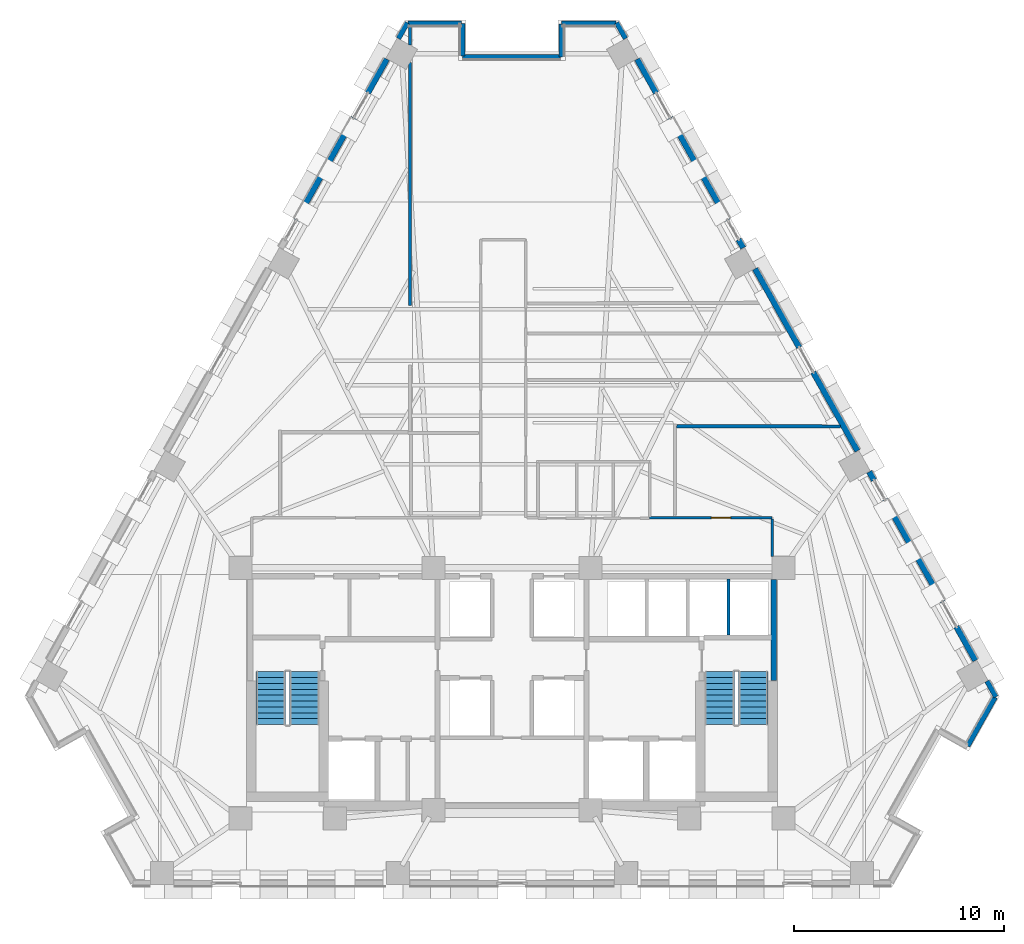
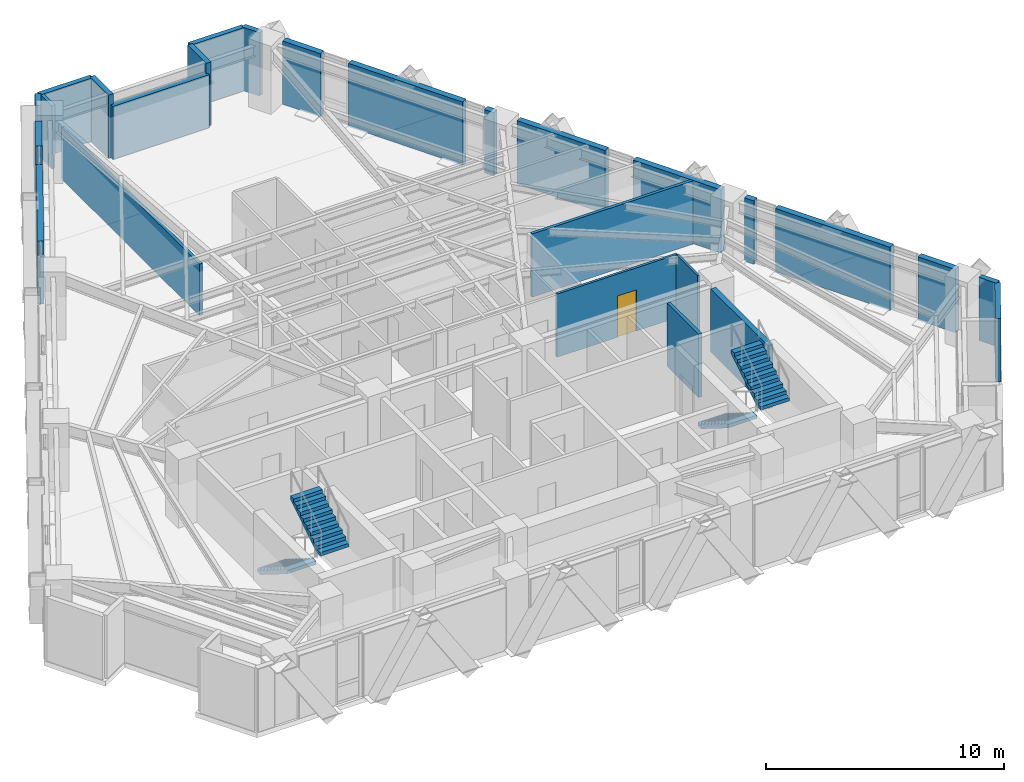
# One storey, part 9 of 13: 26 walls, 4 stair flights, 1 door, 1 opening, 2 elements without a shape of their own.
"""IFC4 building model written with IfcOpenShell, lengths in metres."""

from ifc_helpers import new_model, si_unit, direction, frame, frame_2d, origin, place, context, subcontext, project, spatial, polyline, rectangle, outline, extrude, material, layer, layer_set, type_object, element, fill, aggregate, save


model = new_model("IFC4")

# Units and contexts
model_context = context("Model", 3, precision=1e-05, world=origin(), true_north=direction((0.0, 1.0)))
body_context = subcontext(model_context, "Body", "Model", "MODEL_VIEW")
ifc_project = project(units=[si_unit("LENGTHUNIT", "METRE"), si_unit("AREAUNIT", "SQUARE_METRE"), si_unit("VOLUMEUNIT", "CUBIC_METRE"), si_unit("PLANEANGLEUNIT", "RADIAN"), si_unit("MASSUNIT", "GRAM", prefix="KILO")], contexts=[model_context])

# Site, building, storey
site_placement = place(None, origin())
site = spatial("IfcSite", under=ifc_project, at=site_placement, CompositionType="ELEMENT")
building_placement = place(site_placement, origin())
building = spatial("IfcBuilding", under=site, at=building_placement, Name="Quenlor Broadcast Tower", CompositionType="ELEMENT")
storey_placement = place(building_placement, frame((0.0, 0.0, 116.0)))
storey = spatial("IfcBuildingStorey", under=building, at=storey_placement, Name="L31", CompositionType="ELEMENT", Elevation=116.0)

# Walls
ifc_material_1 = material(Name="Acoustic Double Stud Gypsum Partition", Category="other")
ifc_layer_1 = layer(ifc_material_1, 0.14990234375)
ifc_layer_set_1 = layer_set([ifc_layer_1], Name="Broadcast Studio Acoustic Partition 150")
wall_type_1 = type_object("IfcWallType", Name="Broadcast Studio Acoustic Partition 150", PredefinedType="PARTITIONING", material=ifc_layer_set_1)
wall_1_placement = place(storey_placement, frame((-4.860107421875, 7.70458984375, 0.0), z_axis=(0.0, 0.0, 1.0), x_axis=(0.0, 1.0, 0.0)))
element("IfcWall", 1, at=wall_1_placement, inside=storey, type_object=wall_type_1, Name="L31 Interior Wall PW-DV-02", PredefinedType="PARTITIONING", context=body_context, shape_type="SweptSolid", body=[
    extrude(rectangle(XDim=11.603759765625, YDim=0.14990234375, at=frame_2d((5.8017578125, 0.0))), origin(), (0.0, 0.0, 1.0), 2.64794921875),
])
wall_2_placement = place(storey_placement, frame((-4.860107421875, 20.126220703125, 0.0), z_axis=(0.0, 0.0, 1.0), x_axis=(0.0, 1.0, 0.0)))
element("IfcWall", 2, at=wall_2_placement, inside=storey, type_object=wall_type_1, Name="L31 Interior Wall PW-DV-02S2", PredefinedType="PARTITIONING", context=body_context, shape_type="SweptSolid", body=[
    extrude(rectangle(XDim=0.919677734375, YDim=0.14990234375, at=frame_2d((0.4599609375, 0.0))), origin(), (0.0, 0.0, 1.0), 3.25),
])
wall_3_placement = place(storey_placement, frame((15.65673828125, 1.949951171875, 0.0), z_axis=(0.0, 0.0, 1.0), x_axis=(-0.999999889779, 0.000469512907, 0.0)))
element("IfcWall", 3, at=wall_3_placement, inside=storey, type_object=wall_type_1, Name="L31 Interior Wall PW-DV-08", PredefinedType="PARTITIONING", context=body_context, shape_type="SweptSolid", body=[
    extrude(rectangle(XDim=7.7998046875, YDim=0.14990234375, at=frame_2d((3.89990234375, 0.0))), origin(), (0.0, 0.0, 1.0), 3.25),
])
ifc_material_2 = material(Name="Concrete C40/50", Category="concrete")
ifc_layer_2 = layer(ifc_material_2, 0.25)
ifc_layer_set_2 = layer_set([ifc_layer_2], Name="Fire Rated Concrete C40/50 Core Wall 250")
wall_type_2 = type_object("IfcWallType", Name="Fire Rated Concrete C40/50 Core Wall 250", PredefinedType="PARTITIONING", material=ifc_layer_set_2)
wall_4_placement = place(storey_placement, frame((12.47998046875, -10.179931640625, 0.0), z_axis=(0.0, 0.0, 1.0), x_axis=(0.0, 1.0, 0.0)))
element("IfcWall", 4, at=wall_4_placement, inside=storey, type_object=wall_type_2, Name="L31 Interior Wall CW-ST2-E2", PredefinedType="PARTITIONING", context=body_context, shape_type="SweptSolid", body=[
    extrude(rectangle(XDim=4.827880859375, YDim=0.25, at=frame_2d((2.4140625, 0.0))), origin(), (0.0, 0.0, 1.0), 3.25),
])
ifc_material_3 = material(Name="Gypsum Fireboard Partition", Category="other")
ifc_layer_3 = layer(ifc_material_3, 0.159912109375)
ifc_layer_set_3 = layer_set([ifc_layer_3], Name="Fire Rated Shaft and Corridor Partition 160")
wall_type_3 = type_object("IfcWallType", Name="Fire Rated Shaft and Corridor Partition 160", PredefinedType="PARTITIONING", material=ifc_layer_set_3)
wall_5_placement = place(storey_placement, frame((10.324951171875, -7.992919921875, 0.0), z_axis=(0.0, 0.0, 1.0), x_axis=(0.0, 1.0, 0.0)))
element("IfcWall", 5, at=wall_5_placement, inside=storey, type_object=wall_type_3, Name="L31 Interior Wall CW-PLH-D3", PredefinedType="PARTITIONING", context=body_context, shape_type="SweptSolid", body=[
    extrude(rectangle(XDim=2.65283203125, YDim=0.159912109375, at=frame_2d((1.326416015625, 0.0))), origin(), (0.0, 0.0, 1.0), 3.25),
])

# Wall, opening, door
ifc_material_4 = material(Name="Gypsum Plasterboard Partition", Category="other")
ifc_layer_4 = layer(ifc_material_4, 0.1201171875)
ifc_layer_set_4 = layer_set([ifc_layer_4], Name="Standard Office Partition 120")
wall_type_4 = type_object("IfcWallType", Name="Standard Office Partition 120", PredefinedType="PARTITIONING", material=ifc_layer_set_4)
wall_6_placement = place(storey_placement, frame((6.56201171875, -2.39990234375, 0.0), z_axis=(0.0, 0.0, 1.0), x_axis=(1.0, 0.0, 0.0)))
wall_6 = element("IfcWall", 6, at=wall_6_placement, inside=storey, type_object=wall_type_4, Name="L31 Interior Wall PW-CR-06S2", PredefinedType="PARTITIONING", context=body_context, shape_type="SweptSolid", body=[
    extrude(rectangle(XDim=5.847900390625, YDim=0.1201171875, at=frame_2d((2.923828125, 0.0))), origin(), (0.0, 0.0, 1.0), 3.25),
])
opening_placement = place(wall_6_placement, frame((2.944091796875, 0.0, 0.0)))
opening = element("IfcOpeningElement", 7, at=opening_placement, cuts=wall_6, Name="Opening ID-1", PredefinedType="OPENING", context=body_context, shape_type="SweptSolid", body=[
    extrude(rectangle(XDim=0.919921875, YDim=2.1201171875, at=frame_2d((0.4599609375, 1.06005859375))), frame((0.0, 0.070068359375, 0.0), z_axis=(0.0, -1.0, 0.0), x_axis=(1.0, 0.0, 0.0)), (0.0, 0.0, 1.0), 0.14013671875),
])
ifc_material_5 = material(Name="Solid Core Timber Oak", Category="wood")
door_type = type_object("IfcDoorType", Name="Single Leaf Timber Office Door 920x2120", OperationType="NOTDEFINED", PredefinedType="DOOR", material=ifc_material_5)
door_placement = place(opening_placement, origin())
door = element("IfcDoor", 8, at=door_placement, inside=storey, type_object=door_type, Name="L31 Door DR-RM08", OperationType="SINGLE_SWING_LEFT", OverallHeight=2.1201171875, OverallWidth=0.919921875, PredefinedType="DOOR", context=body_context, shape_type="SweptSolid", body=[
    extrude(rectangle(XDim=0.919921875, YDim=2.1201171875, at=frame_2d((0.4599609375, 1.06005859375))), frame((0.0, 0.02490234375, 0.0), z_axis=(0.0, -1.0, 0.0), x_axis=(1.0, 0.0, 0.0)), (0.0, 0.0, 1.0), 0.050048828125),
])
fill(opening, door)

# Walls
wall_7_placement = place(storey_placement, frame((12.409912109375, -2.4619140625, 0.0), z_axis=(0.0, 0.0, 1.0), x_axis=(0.0, -1.0, 0.0)))
element("IfcWall", 9, at=wall_7_placement, inside=storey, type_object=wall_type_4, Name="L31 Interior Wall PW-CR-07", PredefinedType="PARTITIONING", context=body_context, shape_type="SweptSolid", body=[
    extrude(rectangle(XDim=1.7861328125, YDim=0.1201171875, at=frame_2d((0.89306640625, 0.0))), origin(), (0.0, 0.0, 1.0), 3.25),
])
ifc_material_6 = material(Name="Precast concrete C40/50", Category="concrete")
ifc_layer_5 = layer(ifc_material_6, 0.239990234375)
ifc_layer_set_5 = layer_set([ifc_layer_5], Name="Terrace Threshold Precast Concrete C40/50 Wall 240")
wall_type_5 = type_object("IfcWallType", Name="Terrace Threshold Precast Concrete C40/50 Wall 240", PredefinedType="STANDARD", material=ifc_layer_set_5)
for number, where, z_axis, x_axis, name in (
    (10, (4.992919921875, 21.197265625, 0.0), (0.0, 0.0, 1.0), (0.490355003566, -0.871522788272, 0.0), "L31 Exterior Wall L31-SHD-NES0"),
    (11, (22.65380859375, -10.199951171875, 0.0), (0.0, 0.0, 1.0), (0.490355003566, -0.871522788272, 0.0), "L31 Exterior Wall L31-SHD-NES1"),
    (12, (-5.417236328125, 20.443115234375, 0.0), (0.0, 0.0, 1.0), (0.490355003566, 0.871522788272, 0.0), "L31 Exterior Wall L31-SHD-NWS1"),
):
    element("IfcWall", number, at=place(storey_placement, frame(where, z_axis=z_axis, x_axis=x_axis)), inside=storey, type_object=wall_type_5, Name=name, PredefinedType="STANDARD", context=body_context, shape_type="SweptSolid", body=[
        extrude(rectangle(XDim=0.865234375, YDim=0.239990234375, at=frame_2d((0.4326171875, 0.0))), origin(), (0.0, 0.0, 1.0), 3.25),
    ])
wall_8_placement = place(storey_placement, frame((21.732666015625, -13.293701171875, 0.0), z_axis=(0.0, 0.0, 1.0), x_axis=(0.490265590412, 0.871573089797, 0.0)))
element("IfcWall", 13, at=wall_8_placement, inside=storey, type_object=wall_type_5, Name="L31 Exterior Wall L31-CNR-04", PredefinedType="STANDARD", context=body_context, shape_type="SweptSolid", body=[
    extrude(rectangle(XDim=2.6640625, YDim=0.239990234375, at=frame_2d((1.33203125, 0.0))), origin(), (0.0, 0.0, 1.0), 3.25),
])
wall_9_placement = place(storey_placement, frame((4.95947265625, 21.16796875, 0.0), z_axis=(0.0, 0.0, 1.0), x_axis=(-1.0, 0.0, 0.0)))
element("IfcWall", 14, at=wall_9_placement, inside=storey, type_object=wall_type_5, Name="L31 Exterior Wall L31-CNR-06", PredefinedType="STANDARD", context=body_context, shape_type="SweptSolid", body=[
    extrude(rectangle(XDim=2.599365234375, YDim=0.239990234375, at=frame_2d((1.2998046875, 0.0))), origin(), (0.0, 0.0, 1.0), 3.25),
])
wall_10_placement = place(storey_placement, frame((2.360107421875, 21.1279296875, 0.0), z_axis=(0.0, 0.0, 1.0), x_axis=(0.0, -1.0, 0.0)))
element("IfcWall", 15, at=wall_10_placement, inside=storey, type_object=wall_type_5, Name="L31 Exterior Wall L31-CNR-07", PredefinedType="STANDARD", context=body_context, shape_type="SweptSolid", body=[
    extrude(rectangle(XDim=1.559814453125, YDim=0.239990234375, at=frame_2d((0.77978515625, 0.0))), origin(), (0.0, 0.0, 1.0), 3.25),
])
wall_11_placement = place(storey_placement, frame((2.320068359375, 19.568115234375, 0.0), z_axis=(0.0, 0.0, 1.0), x_axis=(-1.0, 0.0, 0.0)))
element("IfcWall", 16, at=wall_11_placement, inside=storey, type_object=wall_type_5, Name="L31 Exterior Wall L31-CNR-08", PredefinedType="STANDARD", context=body_context, shape_type="SweptSolid", body=[
    extrude(rectangle(XDim=4.68017578125, YDim=0.239990234375, at=frame_2d((2.340087890625, 0.0))), origin(), (0.0, 0.0, 1.0), 2.7216796875),
])
wall_12_placement = place(storey_placement, frame((-2.360107421875, 19.60791015625, 0.0), z_axis=(0.0, 0.0, 1.0), x_axis=(0.0, 1.0, 0.0)))
element("IfcWall", 17, at=wall_12_placement, inside=storey, type_object=wall_type_5, Name="L31 Exterior Wall L31-CNR-09", PredefinedType="STANDARD", context=body_context, shape_type="SweptSolid", body=[
    extrude(rectangle(XDim=1.56005859375, YDim=0.239990234375, at=frame_2d((0.780029296875, 0.0))), origin(), (0.0, 0.0, 1.0), 3.25),
])
wall_13_placement = place(storey_placement, frame((-2.39990234375, 21.16796875, 0.0), z_axis=(0.0, 0.0, 1.0), x_axis=(-1.0, 0.0, 0.0)))
element("IfcWall", 18, at=wall_13_placement, inside=storey, type_object=wall_type_5, Name="L31 Exterior Wall L31-CNR-10", PredefinedType="STANDARD", context=body_context, shape_type="SweptSolid", body=[
    extrude(rectangle(XDim=2.5595703125, YDim=0.239990234375, at=frame_2d((1.27978515625, 0.0))), origin(), (0.0, 0.0, 1.0), 3.25),
])
ifc_material_7 = material(Name="Precast concrete C40/50", Category="concrete")
ifc_layer_6 = layer(ifc_material_7, 0.280029296875)
ifc_layer_set_6 = layer_set([ifc_layer_6], Name="Terracotta Precast Concrete C40/50 Facade Wall 280")
wall_type_6 = type_object("IfcWallType", Name="Terracotta Precast Concrete C40/50 Facade Wall 280", PredefinedType="STANDARD", material=ifc_layer_set_6)
wall_14_placement = place(storey_placement, frame((5.97119140625, 19.458251953125, 0.0), z_axis=(0.0, 0.0, 1.0), x_axis=(0.490280102884, -0.871564926277, 0.0)))
element("IfcWall", 19, at=wall_14_placement, inside=storey, type_object=wall_type_6, Name="L31 Exterior Wall L31-NEA-SP1", PredefinedType="STANDARD", context=body_context, shape_type="SweptSolid", body=[
    extrude(rectangle(XDim=1.843505859375, YDim=0.280029296875, at=frame_2d((0.921875, 0.0))), origin(), (0.0, 0.0, 1.0), 3.25),
])
wall_15_placement = place(storey_placement, frame((7.543701171875, 16.662353515625, 0.0), z_axis=(0.0, 0.0, 1.0), x_axis=(0.490298514233, -0.871554569113, 0.0)))
element("IfcWall", 20, at=wall_15_placement, inside=storey, type_object=wall_type_6, Name="L31 Exterior Wall L31-NEA-SP2", PredefinedType="STANDARD", context=body_context, shape_type="SweptSolid", body=[
    extrude(rectangle(XDim=5.597412109375, YDim=0.280029296875, at=frame_2d((2.798828125, 0.0))), origin(), (0.0, 0.0, 1.0), 3.25),
])
for number, where, z_axis, x_axis, name in (
    (21, (10.806396484375, 10.862060546875, 0.0), (0.0, 0.0, 1.0), (0.490412424957, -0.871490478116, 0.0), "L31 Exterior Wall L31-NEA-SP3"),
    (22, (17.0390625, -0.218017578125, 0.0), (0.0, 0.0, 1.0), (0.490009165718, -0.871717280724, 0.0), "L31 Exterior Wall L31-NEC-SP1"),
):
    element("IfcWall", number, at=place(storey_placement, frame(where, z_axis=z_axis, x_axis=x_axis)), inside=storey, type_object=wall_type_6, Name=name, PredefinedType="STANDARD", context=body_context, shape_type="SweptSolid", body=[
        extrude(rectangle(XDim=0.4599609375, YDim=0.280029296875, at=frame_2d((0.22998046875, 0.0))), origin(), (0.0, 0.0, 1.0), 3.25),
    ])
wall_16_placement = place(storey_placement, frame((17.782958984375, -1.540771484375, 0.0), z_axis=(0.0, 0.0, 1.0), x_axis=(0.490265381388, -0.871573207374, 0.0)))
element("IfcWall", 23, at=wall_16_placement, inside=storey, type_object=wall_type_6, Name="L31 Exterior Wall L31-NEC-SP2", PredefinedType="STANDARD", context=body_context, shape_type="SweptSolid", body=[
    extrude(rectangle(XDim=5.59716796875, YDim=0.280029296875, at=frame_2d((2.798583984375, 0.0))), origin(), (0.0, 0.0, 1.0), 3.25),
])
wall_17_placement = place(storey_placement, frame((21.196044921875, -7.6083984375, 0.0), z_axis=(0.0, 0.0, 1.0), x_axis=(0.490280102884, -0.871564926277, 0.0)))
element("IfcWall", 24, at=wall_17_placement, inside=storey, type_object=wall_type_6, Name="L31 Exterior Wall L31-NEC-SP3", PredefinedType="STANDARD", context=body_context, shape_type="SweptSolid", body=[
    extrude(rectangle(XDim=1.843505859375, YDim=0.280029296875, at=frame_2d((0.921875, 0.0))), origin(), (0.0, 0.0, 1.0), 3.25),
])
for number, where, z_axis, x_axis, name in (
    (25, (11.59326171875, 9.463134765625, 0.0), (0.0, 0.0, 1.0), (0.490293592365, -0.871557337922, 0.0), "L31 Exterior Wall L31-NE-SP1"),
    (26, (14.369873046875, 4.527099609375, 0.0), (0.0, 0.0, 1.0), (0.490293592365, -0.871557337922, 0.0), "L31 Exterior Wall L31-NE-SP2"),
):
    element("IfcWall", number, at=place(storey_placement, frame(where, z_axis=z_axis, x_axis=x_axis)), inside=storey, type_object=wall_type_6, Name=name, PredefinedType="STANDARD", context=body_context, shape_type="SweptSolid", body=[
        extrude(rectangle(XDim=4.29931640625, YDim=0.280029296875, at=frame_2d((2.149658203125, 0.0))), origin(), (0.0, 0.0, 1.0), 3.25),
    ])
wall_18_placement = place(storey_placement, frame((-10.2880859375, 11.783935546875, 0.0), z_axis=(0.0, 0.0, 1.0), x_axis=(0.490298514233, 0.871554569113, 0.0)))
element("IfcWall", 27, at=wall_18_placement, inside=storey, type_object=wall_type_6, Name="L31 Exterior Wall L31-NWC-SP2", PredefinedType="STANDARD", context=body_context, shape_type="SweptSolid", body=[
    extrude(rectangle(XDim=5.597412109375, YDim=0.280029296875, at=frame_2d((2.798828125, 0.0))), origin(), (0.0, 0.0, 1.0), 3.25),
])
wall_19_placement = place(storey_placement, frame((-6.875, 17.8515625, 0.0), z_axis=(0.0, 0.0, 1.0), x_axis=(0.490280102884, 0.871564926277, 0.0)))
element("IfcWall", 28, at=wall_19_placement, inside=storey, type_object=wall_type_6, Name="L31 Exterior Wall L31-NWC-SP3", PredefinedType="STANDARD", context=body_context, shape_type="SweptSolid", body=[
    extrude(rectangle(XDim=1.843505859375, YDim=0.280029296875, at=frame_2d((0.921875, 0.0))), origin(), (0.0, 0.0, 1.0), 3.25),
])

# Stair, stair flights
ifc_material_8 = material(Name="Precast concrete C40/50", Category="concrete")
stair_type = type_object("IfcStairType", Name="Precast Concrete C40/50 Dogleg Stair H350", PredefinedType="HALF_TURN_STAIR", material=ifc_material_8)
stair_1_placement = place(storey_placement, origin())
stair_1 = element("IfcStair", 29, at=stair_1_placement, inside=storey, type_object=stair_type, Name="L31 West Core Fire-Isolated Exit Stair ST-1", PredefinedType="HALF_TURN_STAIR")
ifc_material_9 = material(Name="Precast concrete C40/50", Category="concrete")
ifc_layer_7 = layer(ifc_material_9, 0.159912109375)
ifc_layer_set_7 = layer_set([ifc_layer_7], Name="Precast Concrete C40/50 Stair Flight H350")
stair_flight_type = type_object("IfcStairFlightType", Name="Precast Concrete C40/50 Stair Flight H350", PredefinedType="STRAIGHT", material=ifc_layer_set_7)
stair_flight_1_placement = place(storey_placement, frame((-11.5, -9.75, 0.0), z_axis=(0.0, 0.0, 1.0), x_axis=(0.0, -1.0, 0.0)))
stair_flight_1 = element("IfcStairFlight", 30, at=stair_flight_1_placement, type_object=stair_flight_type, Name="ST-1 flight 1", NumberOfRisers=10, NumberOfTreads=9, PredefinedType="STRAIGHT", RiserHeight=0.175, TreadLength=0.28, context=body_context, shape_type="SweptSolid", body=[
    extrude(outline(polyline([(0.0, 0.0), (0.0, 0.175048828125), (0.280029296875, 0.175048828125), (0.280029296875, 0.35009765625), (0.56005859375, 0.35009765625), (0.56005859375, 0.52490234375), (0.840087890625, 0.52490234375), (0.840087890625, 0.699951171875), (1.1201171875, 0.699951171875), (1.1201171875, 0.875), (1.39990234375, 0.875), (1.39990234375, 1.050048828125), (1.679931640625, 1.050048828125), (1.679931640625, 1.22509765625), (1.9599609375, 1.22509765625), (1.9599609375, 1.39990234375), (2.239990234375, 1.39990234375), (2.239990234375, 1.574951171875), (2.52001953125, 1.574951171875), (2.52001953125, 1.75), (2.52001953125, 1.398193359375), (0.28271484375, 0.0), (0.0, 0.0)])), frame((0.0, 0.699951171875, 0.0), z_axis=(0.0, -1.0, 0.0), x_axis=(1.0, 0.0, 0.0)), (0.0, 0.0, 1.0), 1.39990234375),
])
stair_flight_2_placement = place(storey_placement, frame((-9.89990234375, -12.27001953125, 1.75), z_axis=(0.0, 0.0, 1.0), x_axis=(0.0, 1.0, 0.0)))
stair_flight_2 = element("IfcStairFlight", 31, at=stair_flight_2_placement, type_object=stair_flight_type, Name="ST-1 flight 2", NumberOfRisers=10, NumberOfTreads=9, PredefinedType="STRAIGHT", RiserHeight=0.175, TreadLength=0.28, context=body_context, shape_type="SweptSolid", body=[
    extrude(outline(polyline([(0.0, 0.0), (0.0, 0.175048828125), (0.280029296875, 0.175048828125), (0.280029296875, 0.35009765625), (0.56005859375, 0.35009765625), (0.56005859375, 0.52490234375), (0.840087890625, 0.52490234375), (0.840087890625, 0.699951171875), (1.1201171875, 0.699951171875), (1.1201171875, 0.875), (1.39990234375, 0.875), (1.39990234375, 1.050048828125), (1.679931640625, 1.050048828125), (1.679931640625, 1.22509765625), (1.9599609375, 1.22509765625), (1.9599609375, 1.39990234375), (2.239990234375, 1.39990234375), (2.239990234375, 1.574951171875), (2.52001953125, 1.574951171875), (2.52001953125, 1.75), (2.52001953125, 1.398193359375), (0.28271484375, 0.0), (0.0, 0.0)])), frame((0.0, 0.699951171875, 0.0), z_axis=(0.0, -1.0, 0.0), x_axis=(1.0, 0.0, 0.0)), (0.0, 0.0, 1.0), 1.39990234375),
])
aggregate(stair_1, [stair_flight_1, stair_flight_2])

stair_2_placement = place(storey_placement, origin())
stair_2 = element("IfcStair", 32, at=stair_2_placement, inside=storey, type_object=stair_type, Name="L31 East Core Fire-Isolated Exit Stair ST-2", PredefinedType="HALF_TURN_STAIR")
stair_flight_3_placement = place(storey_placement, frame((9.89990234375, -9.75, 0.0), z_axis=(0.0, 0.0, 1.0), x_axis=(0.0, -1.0, 0.0)))
stair_flight_3 = element("IfcStairFlight", 33, at=stair_flight_3_placement, type_object=stair_flight_type, Name="ST-2 flight 1", NumberOfRisers=10, NumberOfTreads=9, PredefinedType="STRAIGHT", RiserHeight=0.175, TreadLength=0.28, context=body_context, shape_type="SweptSolid", body=[
    extrude(outline(polyline([(0.0, 0.0), (0.0, 0.175048828125), (0.280029296875, 0.175048828125), (0.280029296875, 0.35009765625), (0.56005859375, 0.35009765625), (0.56005859375, 0.52490234375), (0.840087890625, 0.52490234375), (0.840087890625, 0.699951171875), (1.1201171875, 0.699951171875), (1.1201171875, 0.875), (1.39990234375, 0.875), (1.39990234375, 1.050048828125), (1.679931640625, 1.050048828125), (1.679931640625, 1.22509765625), (1.9599609375, 1.22509765625), (1.9599609375, 1.39990234375), (2.239990234375, 1.39990234375), (2.239990234375, 1.574951171875), (2.52001953125, 1.574951171875), (2.52001953125, 1.75), (2.52001953125, 1.398193359375), (0.28271484375, 0.0), (0.0, 0.0)])), frame((0.0, 0.699951171875, 0.0), z_axis=(0.0, -1.0, 0.0), x_axis=(1.0, 0.0, 0.0)), (0.0, 0.0, 1.0), 1.39990234375),
])
stair_flight_4_placement = place(storey_placement, frame((11.5, -12.27001953125, 1.75), z_axis=(0.0, 0.0, 1.0), x_axis=(0.0, 1.0, 0.0)))
stair_flight_4 = element("IfcStairFlight", 34, at=stair_flight_4_placement, type_object=stair_flight_type, Name="ST-2 flight 2", NumberOfRisers=10, NumberOfTreads=9, PredefinedType="STRAIGHT", RiserHeight=0.175, TreadLength=0.28, context=body_context, shape_type="SweptSolid", body=[
    extrude(outline(polyline([(0.0, 0.0), (0.0, 0.175048828125), (0.280029296875, 0.175048828125), (0.280029296875, 0.35009765625), (0.56005859375, 0.35009765625), (0.56005859375, 0.52490234375), (0.840087890625, 0.52490234375), (0.840087890625, 0.699951171875), (1.1201171875, 0.699951171875), (1.1201171875, 0.875), (1.39990234375, 0.875), (1.39990234375, 1.050048828125), (1.679931640625, 1.050048828125), (1.679931640625, 1.22509765625), (1.9599609375, 1.22509765625), (1.9599609375, 1.39990234375), (2.239990234375, 1.39990234375), (2.239990234375, 1.574951171875), (2.52001953125, 1.574951171875), (2.52001953125, 1.75), (2.52001953125, 1.398193359375), (0.28271484375, 0.0), (0.0, 0.0)])), frame((0.0, 0.699951171875, 0.0), z_axis=(0.0, -1.0, 0.0), x_axis=(1.0, 0.0, 0.0)), (0.0, 0.0, 1.0), 1.39990234375),
])
aggregate(stair_2, [stair_flight_3, stair_flight_4])

save(model, "model.ifc")
